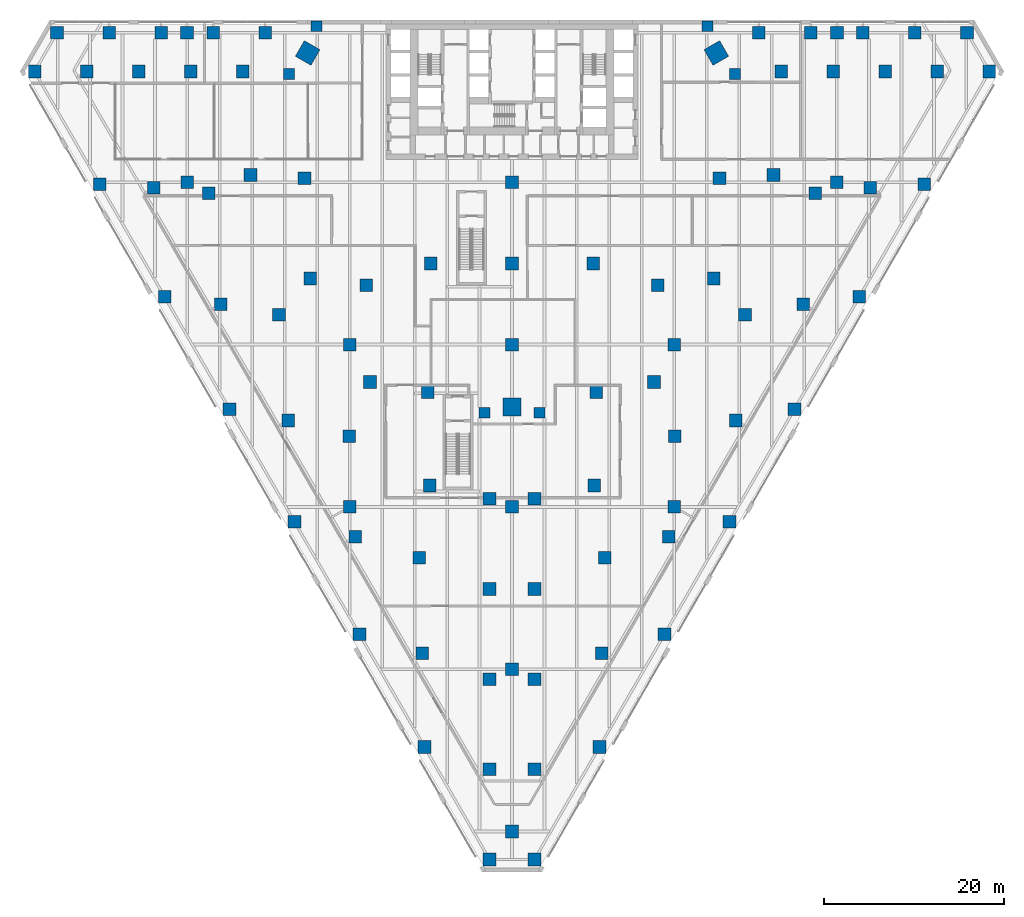
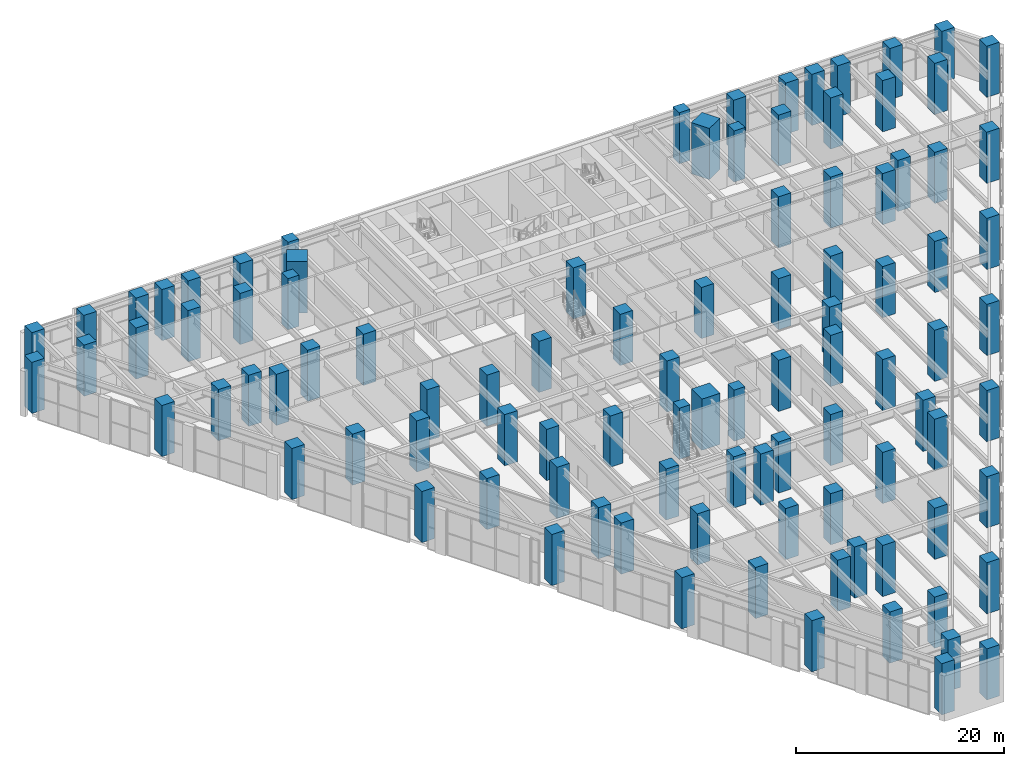
# One storey, part 1 of 37: 99 columns.
"""IFC4 building model written with IfcOpenShell, lengths in metres."""

from ifc_helpers import new_model, si_unit, direction, frame, origin, origin_2d, place, context, subcontext, project, spatial, rectangle, extrude, material, material_profile, profile_set, type_object, element, save


model = new_model("IFC4")

# Units and contexts
model_context = context("Model", 3, precision=1e-05, world=origin(), true_north=direction((0.0, 1.0)))
body_context = subcontext(model_context, "Body", "Model", "MODEL_VIEW")
ifc_project = project(units=[si_unit("LENGTHUNIT", "METRE"), si_unit("AREAUNIT", "SQUARE_METRE"), si_unit("VOLUMEUNIT", "CUBIC_METRE"), si_unit("PLANEANGLEUNIT", "RADIAN"), si_unit("MASSUNIT", "GRAM", prefix="KILO")], contexts=[model_context])

# Site, building, storey
site_placement = place(None, origin())
site = spatial("IfcSite", under=ifc_project, at=site_placement, CompositionType="ELEMENT")
building_placement = place(site_placement, origin())
building = spatial("IfcBuilding", under=site, at=building_placement, Name="Aloe Facet Convention Tower", CompositionType="ELEMENT")
storey_placement = place(building_placement, frame((0.0, 0.0, 7.5)))
storey = spatial("IfcBuildingStorey", under=building, at=storey_placement, Name="L01", CompositionType="ELEMENT", Elevation=7.5)

# Columns
ifc_material_1 = material(Name="Concrete C60/75", Category="concrete")
ifc_material_profile_1 = material_profile(ifc_material_1, rectangle(XDim=1.39990234375, YDim=1.39990234375, at=origin_2d()), Name="SF-PC-1400")
ifc_profile_set_1 = profile_set([ifc_material_profile_1], Name="Concrete C60/75")
column_type_1 = type_object("IfcColumnType", Name="SF-PC-1400", PredefinedType="COLUMN", material=ifc_profile_set_1)
for number, where, z_axis, x_axis, name in (
    (1, (89.0, 108.0, 0.0), (0.0, 0.0, 1.0), (1.0, 0.0, 0.0), "Podium column PC-10D"),
    (2, (98.0, 99.0, 0.0), (0.0, 0.0, 1.0), (1.0, 0.0, 0.0), "Podium column PC-11E"),
    (3, (98.0, 81.0, 0.0), (0.0, 0.0, 1.0), (1.0, 0.0, 0.0), "Podium column PC-11G"),
    (4, (116.0, 117.0, 0.0), (0.0, 0.0, 1.0), (1.0, 0.0, 0.0), "Podium column PC-13C"),
    (5, (44.0, 117.0, 0.0), (0.0, 0.0, 1.0), (1.0, 0.0, 0.0), "Podium column PC-5C"),
    (6, (62.0, 99.0, 0.0), (0.0, 0.0, 1.0), (1.0, 0.0, 0.0), "Podium column PC-7E"),
    (7, (62.0, 81.0, 0.0), (0.0, 0.0, 1.0), (1.0, 0.0, 0.0), "Podium column PC-7G"),
    (8, (71.0, 108.0, 0.0), (0.0, 0.0, 1.0), (1.0, 0.0, 0.0), "Podium column PC-8D"),
    (9, (80.0, 117.0, 0.0), (0.0, 0.0, 1.0), (1.0, 0.0, 0.0), "Podium column PC-9C"),
    (10, (80.0, 108.0, 0.0), (0.0, 0.0, 1.0), (1.0, 0.0, 0.0), "Podium column PC-9D"),
    (11, (80.0, 99.0, 0.0), (0.0, 0.0, 1.0), (1.0, 0.0, 0.0), "Podium column PC-9E"),
    (12, (80.0, 81.0, 0.0), (0.0, 0.0, 1.0), (1.0, 0.0, 0.0), "Podium column PC-9G"),
    (13, (80.0, 63.0, 0.0), (0.0, 0.0, 1.0), (1.0, 0.0, 0.0), "Podium column PC-9J"),
    (14, (80.0, 45.0, 0.0), (0.0, 0.0, 1.0), (1.0, 0.0, 0.0), "Podium column PC-9L"),
    (15, (102.375, 106.324951171875, 0.0), (0.0, 0.0, 1.0), (1.0, 0.0, 0.0), "Podium column PE-102-106"),
    (16, (103.01611328125, 117.43505859375, 0.0), (0.0, 0.0, 1.0), (1.0, 0.0, 0.0), "Podium column PE-103-117"),
    (17, (104.116943359375, 79.343017578125, 0.0), (0.0, 0.0, 1.0), (1.0, 0.0, 0.0), "Podium column PE-104-79"),
    (18, (104.8349609375, 90.5849609375, 0.0), (0.0, 0.0, 1.0), (1.0, 0.0, 0.0), "Podium column PE-105-91"),
    (19, (105.839111328125, 102.324951171875, 0.0), (0.0, 0.0, 1.0), (1.0, 0.0, 0.0), "Podium column PE-106-102"),
    (20, (107.364990234375, 133.60009765625, 0.0), (0.0, 0.0, 1.0), (1.0, 0.0, 0.0), "Podium column PE-107-134"),
    (21, (109.0029296875, 117.804931640625, 0.0), (0.0, 0.0, 1.0), (1.0, 0.0, 0.0), "Podium column PE-109-118"),
    (22, (109.85693359375, 129.283935546875, 0.0), (0.0, 0.0, 1.0), (1.0, 0.0, 0.0), "Podium column PE-110-129"),
    (23, (111.325927734375, 91.827880859375, 0.0), (0.0, 0.0, 1.0), (1.0, 0.0, 0.0), "Podium column PE-111-92"),
    (24, (112.281982421875, 103.485107421875, 0.0), (0.0, 0.0, 1.0), (1.0, 0.0, 0.0), "Podium column PE-112-103"),
    (25, (113.138916015625, 133.60009765625, 0.0), (0.0, 0.0, 1.0), (1.0, 0.0, 0.0), "Podium column PE-113-134"),
    (26, (113.62109375, 115.804931640625, 0.0), (0.0, 0.0, 1.0), (1.0, 0.0, 0.0), "Podium column PE-114-116"),
    (27, (115.6298828125, 129.283935546875, 0.0), (0.0, 0.0, 1.0), (1.0, 0.0, 0.0), "Podium column PE-116-129"),
    (28, (116.0419921875, 133.60009765625, 0.0), (0.0, 0.0, 1.0), (1.0, 0.0, 0.0), "Podium column PE-116-134"),
    (29, (118.533935546875, 104.31298828125, 0.0), (0.0, 0.0, 1.0), (1.0, 0.0, 0.0), "Podium column PE-119-104"),
    (30, (118.912109375, 133.60009765625, 0.0), (0.0, 0.0, 1.0), (1.0, 0.0, 0.0), "Podium column PE-119-134"),
    (31, (119.72998046875, 116.385009765625, 0.0), (0.0, 0.0, 1.0), (1.0, 0.0, 0.0), "Podium column PE-120-116"),
    (32, (121.404052734375, 129.283935546875, 0.0), (0.0, 0.0, 1.0), (1.0, 0.0, 0.0), "Podium column PE-121-129"),
    (33, (124.68603515625, 133.60009765625, 0.0), (0.0, 0.0, 1.0), (1.0, 0.0, 0.0), "Podium column PE-125-134"),
    (34, (125.741943359375, 116.799072265625, 0.0), (0.0, 0.0, 1.0), (1.0, 0.0, 0.0), "Podium column PE-126-117"),
    (35, (127.177001953125, 129.283935546875, 0.0), (0.0, 0.0, 1.0), (1.0, 0.0, 0.0), "Podium column PE-127-129"),
    (36, (130.458984375, 133.60009765625, 0.0), (0.0, 0.0, 1.0), (1.0, 0.0, 0.0), "Podium column PE-130-134"),
    (37, (132.950927734375, 129.283935546875, 0.0), (0.0, 0.0, 1.0), (1.0, 0.0, 0.0), "Podium column PE-133-129"),
    (38, (27.049072265625, 129.283935546875, 0.0), (0.0, 0.0, 1.0), (1.0, 0.0, 0.0), "Podium column PE-27-129"),
    (39, (29.541015625, 133.60009765625, 0.0), (0.0, 0.0, 1.0), (1.0, 0.0, 0.0), "Podium column PE-30-134"),
    (40, (32.822998046875, 129.283935546875, 0.0), (0.0, 0.0, 1.0), (1.0, 0.0, 0.0), "Podium column PE-33-129"),
    (41, (34.258056640625, 116.799072265625, 0.0), (0.0, 0.0, 1.0), (1.0, 0.0, 0.0), "Podium column PE-34-117"),
    (42, (35.31396484375, 133.60009765625, 0.0), (0.0, 0.0, 1.0), (1.0, 0.0, 0.0), "Podium column PE-35-134"),
    (43, (38.595947265625, 129.283935546875, 0.0), (0.0, 0.0, 1.0), (1.0, 0.0, 0.0), "Podium column PE-39-129"),
    (44, (40.27001953125, 116.385009765625, 0.0), (0.0, 0.0, 1.0), (1.0, 0.0, 0.0), "Podium column PE-40-116"),
    (45, (41.466064453125, 104.31298828125, 0.0), (0.0, 0.0, 1.0), (1.0, 0.0, 0.0), "Podium column PE-41-104"),
    (46, (41.087890625, 133.60009765625, 0.0), (0.0, 0.0, 1.0), (1.0, 0.0, 0.0), "Podium column PE-41-134"),
    (47, (44.3701171875, 129.283935546875, 0.0), (0.0, 0.0, 1.0), (1.0, 0.0, 0.0), "Podium column PE-44-129"),
    (48, (43.9580078125, 133.60009765625, 0.0), (0.0, 0.0, 1.0), (1.0, 0.0, 0.0), "Podium column PE-44-134"),
    (49, (46.37890625, 115.804931640625, 0.0), (0.0, 0.0, 1.0), (1.0, 0.0, 0.0), "Podium column PE-46-116"),
    (50, (46.861083984375, 133.60009765625, 0.0), (0.0, 0.0, 1.0), (1.0, 0.0, 0.0), "Podium column PE-47-134"),
    (51, (47.718017578125, 103.485107421875, 0.0), (0.0, 0.0, 1.0), (1.0, 0.0, 0.0), "Podium column PE-48-103"),
    (52, (48.674072265625, 91.827880859375, 0.0), (0.0, 0.0, 1.0), (1.0, 0.0, 0.0), "Podium column PE-49-92"),
    (53, (50.14306640625, 129.283935546875, 0.0), (0.0, 0.0, 1.0), (1.0, 0.0, 0.0), "Podium column PE-50-129"),
    (54, (50.9970703125, 117.804931640625, 0.0), (0.0, 0.0, 1.0), (1.0, 0.0, 0.0), "Podium column PE-51-118"),
    (55, (52.635009765625, 133.60009765625, 0.0), (0.0, 0.0, 1.0), (1.0, 0.0, 0.0), "Podium column PE-53-134"),
    (56, (54.160888671875, 102.324951171875, 0.0), (0.0, 0.0, 1.0), (1.0, 0.0, 0.0), "Podium column PE-54-102"),
    (57, (55.1650390625, 90.5849609375, 0.0), (0.0, 0.0, 1.0), (1.0, 0.0, 0.0), "Podium column PE-55-91"),
    (58, (55.883056640625, 79.343017578125, 0.0), (0.0, 0.0, 1.0), (1.0, 0.0, 0.0), "Podium column PE-56-79"),
    (59, (56.98388671875, 117.43505859375, 0.0), (0.0, 0.0, 1.0), (1.0, 0.0, 0.0), "Podium column PE-57-117"),
    (60, (57.625, 106.324951171875, 0.0), (0.0, 0.0, 1.0), (1.0, 0.0, 0.0), "Podium column PE-58-106"),
    (61, (61.943115234375, 88.844970703125, 0.0), (0.0, 0.0, 1.0), (1.0, 0.0, 0.0), "Podium column PE-62-89"),
    (62, (63.091064453125, 66.85693359375, 0.0), (0.0, 0.0, 1.0), (1.0, 0.0, 0.0), "Podium column PE-63-67"),
    (63, (62.613037109375, 77.68603515625, 0.0), (0.0, 0.0, 1.0), (1.0, 0.0, 0.0), "Podium column PE-63-78"),
    (64, (63.825927734375, 105.5849609375, 0.0), (0.0, 0.0, 1.0), (1.0, 0.0, 0.0), "Podium column PE-64-106"),
    (65, (64.2529296875, 94.844970703125, 0.0), (0.0, 0.0, 1.0), (1.0, 0.0, 0.0), "Podium column PE-64-95"),
    (66, (70.300048828125, 54.3720703125, 0.0), (0.0, 0.0, 1.0), (1.0, 0.0, 0.0), "Podium column PE-70-54"),
    (67, (70.06103515625, 64.785888671875, 0.0), (0.0, 0.0, 1.0), (1.0, 0.0, 0.0), "Podium column PE-70-65"),
    (68, (69.72607421875, 75.365966796875, 0.0), (0.0, 0.0, 1.0), (1.0, 0.0, 0.0), "Podium column PE-70-75"),
    (69, (70.881103515625, 83.365966796875, 0.0), (0.0, 0.0, 1.0), (1.0, 0.0, 0.0), "Podium column PE-71-83"),
    (70, (70.6669921875, 93.736083984375, 0.0), (0.0, 0.0, 1.0), (1.0, 0.0, 0.0), "Podium column PE-71-94"),
    (71, (77.508056640625, 41.885986328125, 0.0), (0.0, 0.0, 1.0), (1.0, 0.0, 0.0), "Podium column PE-78-42"),
    (72, (77.508056640625, 51.885986328125, 0.0), (0.0, 0.0, 1.0), (1.0, 0.0, 0.0), "Podium column PE-78-52"),
    (73, (77.508056640625, 61.885986328125, 0.0), (0.0, 0.0, 1.0), (1.0, 0.0, 0.0), "Podium column PE-78-62"),
    (74, (77.508056640625, 71.885986328125, 0.0), (0.0, 0.0, 1.0), (1.0, 0.0, 0.0), "Podium column PE-78-72"),
    (75, (77.508056640625, 81.885986328125, 0.0), (0.0, 0.0, 1.0), (1.0, 0.0, 0.0), "Podium column PE-78-82"),
    (76, (82.491943359375, 41.885986328125, 0.0), (0.0, 0.0, 1.0), (1.0, 0.0, 0.0), "Podium column PE-82-42"),
    (77, (82.491943359375, 51.885986328125, 0.0), (0.0, 0.0, 1.0), (1.0, 0.0, 0.0), "Podium column PE-82-52"),
    (78, (82.491943359375, 61.885986328125, 0.0), (0.0, 0.0, 1.0), (1.0, 0.0, 0.0), "Podium column PE-82-62"),
    (79, (82.491943359375, 71.885986328125, 0.0), (0.0, 0.0, 1.0), (1.0, 0.0, 0.0), "Podium column PE-82-72"),
    (80, (82.491943359375, 81.885986328125, 0.0), (0.0, 0.0, 1.0), (1.0, 0.0, 0.0), "Podium column PE-82-82"),
    (81, (89.118896484375, 83.365966796875, 0.0), (0.0, 0.0, 1.0), (1.0, 0.0, 0.0), "Podium column PE-89-83"),
    (82, (89.3330078125, 93.736083984375, 0.0), (0.0, 0.0, 1.0), (1.0, 0.0, 0.0), "Podium column PE-89-94"),
    (83, (89.699951171875, 54.3720703125, 0.0), (0.0, 0.0, 1.0), (1.0, 0.0, 0.0), "Podium column PE-90-54"),
    (84, (89.93896484375, 64.785888671875, 0.0), (0.0, 0.0, 1.0), (1.0, 0.0, 0.0), "Podium column PE-90-65"),
    (85, (90.27392578125, 75.365966796875, 0.0), (0.0, 0.0, 1.0), (1.0, 0.0, 0.0), "Podium column PE-90-75"),
    (86, (96.174072265625, 105.5849609375, 0.0), (0.0, 0.0, 1.0), (1.0, 0.0, 0.0), "Podium column PE-96-106"),
    (87, (95.7470703125, 94.844970703125, 0.0), (0.0, 0.0, 1.0), (1.0, 0.0, 0.0), "Podium column PE-96-95"),
    (88, (96.908935546875, 66.85693359375, 0.0), (0.0, 0.0, 1.0), (1.0, 0.0, 0.0), "Podium column PE-97-67"),
    (89, (97.386962890625, 77.68603515625, 0.0), (0.0, 0.0, 1.0), (1.0, 0.0, 0.0), "Podium column PE-97-78"),
    (90, (98.056884765625, 88.844970703125, 0.0), (0.0, 0.0, 1.0), (1.0, 0.0, 0.0), "Podium column PE-98-89"),
):
    element("IfcColumn", number, at=place(storey_placement, frame(where, z_axis=z_axis, x_axis=x_axis)), inside=storey, type_object=column_type_1, Name=name, PredefinedType="COLUMN", context=body_context, shape_type="SweptSolid", body=[
        extrude(rectangle(XDim=1.39990234375, YDim=1.39990234375, at=origin_2d()), origin(), (0.0, 0.0, 1.0), 6.0),
    ])
ifc_material_2 = material(Name="Concrete C60/75", Category="concrete")
ifc_material_profile_2 = material_profile(ifc_material_2, rectangle(XDim=1.199951171875, YDim=1.199951171875, at=origin_2d()), Name="SF-PR-1200")
ifc_profile_set_2 = profile_set([ifc_material_profile_2], Name="Concrete C60/75")
column_type_2 = type_object("IfcColumnType", Name="SF-PR-1200", PredefinedType="COLUMN", material=ifc_profile_set_2)
for number, where, z_axis, x_axis, name in (
    (91, (55.256103515625, 129.028076171875, 0.0), (0.0, 0.0, 1.0), (1.0, 0.0, 0.0), "Podium column PR-01-55-129"),
    (92, (58.300048828125, 134.300048828125, 0.0), (0.0, 0.0, 1.0), (1.0, 0.0, 0.0), "Podium column PR-02-58-134"),
    (93, (76.956298828125, 91.4423828125, 0.0), (0.0, 0.0, 1.0), (1.0, 0.0, 0.0), "Podium column PR-03-77-91"),
    (94, (83.043701171875, 91.4423828125, 0.0), (0.0, 0.0, 1.0), (1.0, 0.0, 0.0), "Podium column PR-04-83-91"),
    (95, (101.699951171875, 134.300048828125, 0.0), (0.0, 0.0, 1.0), (1.0, 0.0, 0.0), "Podium column PR-05-102-134"),
    (96, (104.743896484375, 129.028076171875, 0.0), (0.0, 0.0, 1.0), (1.0, 0.0, 0.0), "Podium column PR-06-105-129"),
):
    element("IfcColumn", number, at=place(storey_placement, frame(where, z_axis=z_axis, x_axis=x_axis)), inside=storey, type_object=column_type_2, Name=name, PredefinedType="COLUMN", context=body_context, shape_type="SweptSolid", body=[
        extrude(rectangle(XDim=1.199951171875, YDim=1.199951171875, at=origin_2d()), origin(), (0.0, 0.0, 1.0), 6.0),
    ])
ifc_material_3 = material(Name="Concrete C80/95", Category="concrete")
ifc_material_profile_3 = material_profile(ifc_material_3, rectangle(XDim=2.0, YDim=2.0, at=origin_2d()), Name="STW-MC-Z1")
ifc_profile_set_3 = profile_set([ifc_material_profile_3], Name="Concrete C80/95")
column_type_3 = type_object("IfcColumnType", Name="STW-MC-Z1", PredefinedType="COLUMN", material=ifc_profile_set_3)
for number, where, z_axis, x_axis, name in (
    (97, (102.664306640625, 131.342041015625, 0.0), (0.0, 0.0, 1.0), (-0.5, 0.866025403784, 0.0), "Mega-column MC-NE-L01"),
    (98, (57.335693359375, 131.342041015625, 0.0), (0.0, 0.0, 1.0), (-0.5, -0.866025403784, 0.0), "Mega-column MC-NW-L01"),
    (99, (80.0, 92.086181640625, 0.0), (0.0, 0.0, 1.0), (1.0, 0.0, 0.0), "Mega-column MC-S-L01"),
):
    element("IfcColumn", number, at=place(storey_placement, frame(where, z_axis=z_axis, x_axis=x_axis)), inside=storey, type_object=column_type_3, Name=name, PredefinedType="COLUMN", context=body_context, shape_type="SweptSolid", body=[
        extrude(rectangle(XDim=2.0, YDim=2.0, at=origin_2d()), origin(), (0.0, 0.0, 1.0), 6.0),
    ])

save(model, "model.ifc")
